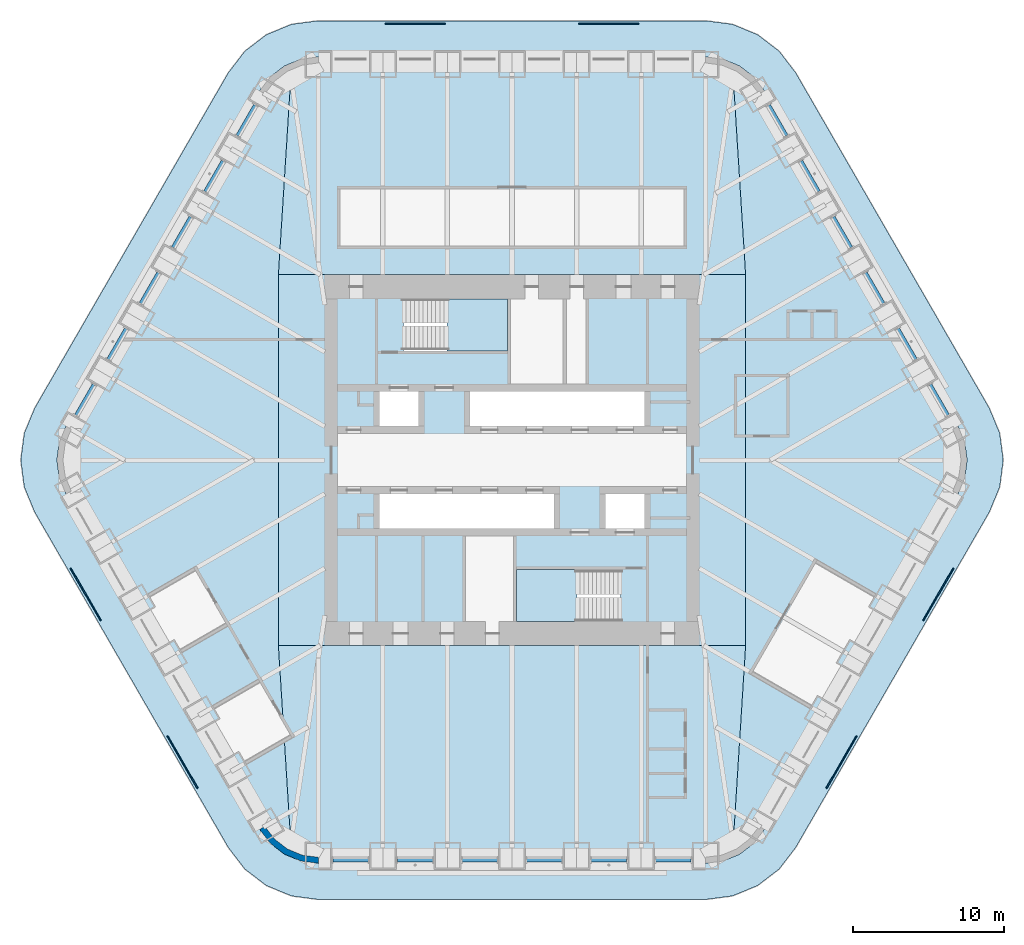
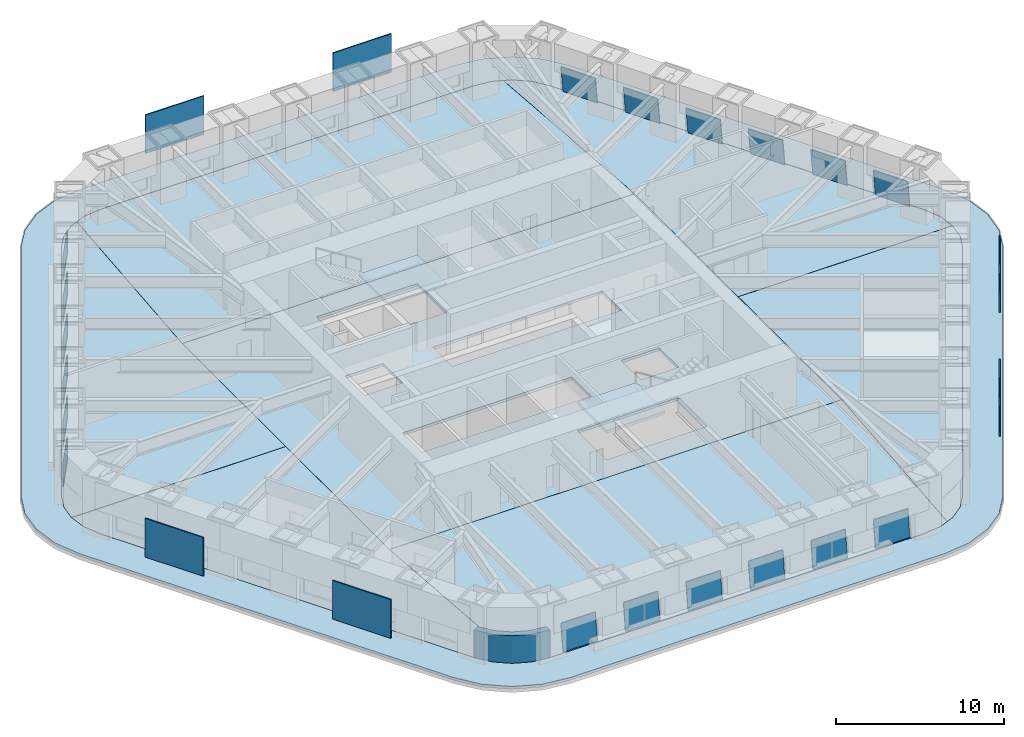
# One storey, part 12 of 18: 24 plates, 10 slabs, 1 wall, 20 elements without a shape of their own.
"""IFC4 building model written with IfcOpenShell, lengths in metres."""

import ifcopenshell
import ifcopenshell.guid

model = None  # the IFC model being written
_history = None  # IfcOwnerHistory: only IFC2X3 demands one
_inside = {}  # id of a spatial element -> (the spatial element, [elements in it])
_under = {}  # id of a project, library or spatial element -> (it, [spatial elements below it])
_declared = {}  # id of a project -> (the project, [libraries it declares])
_typed = {}  # id of a type object -> (the type object, [elements of that type])
_made_of = {}  # id of a material, layer set ... -> (it, [elements and type objects made of it])


def new_model(schema):
    """Start an empty IFC model of exactly this schema.

    Asked for "IFC4X3", IfcOpenShell would pick the latest addendum, in which some entities
    have other attributes; the version numbers below select the first issue.
    IFC2X3 requires an IfcOwnerHistory on every rooted entity: one is made here for all.
    """
    global model, _history
    if schema == "IFC4X3":
        model = ifcopenshell.file(schema_version=(4, 3, 0, 0))
    else:
        model = ifcopenshell.file(schema=schema)
    _inside.clear()
    _under.clear()
    _declared.clear()
    _typed.clear()
    _made_of.clear()
    _history = None
    if model.schema == "IFC2X3":
        org = make("IfcOrganization", Name="unknown")
        user = make(
            "IfcPersonAndOrganization",
            ThePerson=make("IfcPerson", FamilyName="unknown"),
            TheOrganization=org,
        )
        app = make(
            "IfcApplication",
            ApplicationDeveloper=org,
            Version="unknown",
            ApplicationFullName="unknown",
            ApplicationIdentifier="unknown",
        )
        _history = make(
            "IfcOwnerHistory",
            OwningUser=user,
            OwningApplication=app,
            ChangeAction="ADDED",
            CreationDate=0,
        )
    return model


def make(cls, **values):
    """One entity of the class cls with the attributes given. An attribute that is None is left unset."""
    return model.create_entity(
        cls, **{name: value for name, value in values.items() if value is not None}
    )


def rooted(cls, **values):
    """An entity with a GlobalId (a new one), such as an element, a storey or a relation."""
    return make(cls, GlobalId=ifcopenshell.guid.new(), OwnerHistory=_history, **values)


def si_unit(unit_type, name, prefix=None):
    """IfcSIUnit, for example si_unit("LENGTHUNIT", "METRE", prefix="MILLI")."""
    return make("IfcSIUnit", UnitType=unit_type, Prefix=prefix, Name=name)


def assignment(units):
    """IfcUnitAssignment: the units of a project."""
    return None if units is None else make("IfcUnitAssignment", Units=units)


def point(xyz):
    """IfcCartesianPoint."""
    return None if xyz is None else make("IfcCartesianPoint", Coordinates=xyz)


def direction(xyz):
    """IfcDirection."""
    return None if xyz is None else make("IfcDirection", DirectionRatios=xyz)


def frame(location, z_axis=None, x_axis=None):
    """IfcAxis2Placement3D, a coordinate frame: its origin and axes. An axis left out is left unset."""
    return make(
        "IfcAxis2Placement3D",
        Location=point(location),
        Axis=direction(z_axis),
        RefDirection=direction(x_axis),
    )


def frame_2d(location, x_axis=None):
    """IfcAxis2Placement2D, a coordinate frame in the plane: its origin and x axis."""
    return make(
        "IfcAxis2Placement2D", Location=point(location), RefDirection=direction(x_axis)
    )


def origin():
    """The frame at (0, 0, 0) with its axes left unset."""
    return frame((0.0, 0.0, 0.0))


def origin_2d():
    """The frame at (0, 0) in the plane with its x axis left unset."""
    return frame_2d((0.0, 0.0))


def place(relative_to, where):
    """IfcLocalPlacement: puts the frame where relative to a parent placement (None: the world)."""
    return make(
        "IfcLocalPlacement", PlacementRelTo=relative_to, RelativePlacement=where
    )


def context(
    kind, dimensions, precision=None, world=None, true_north=None, identifier=None
):
    """IfcGeometricRepresentationContext, for example the 3D "Model" context."""
    return make(
        "IfcGeometricRepresentationContext",
        ContextIdentifier=identifier,
        ContextType=kind,
        CoordinateSpaceDimension=dimensions,
        Precision=precision,
        WorldCoordinateSystem=world,
        TrueNorth=true_north,
    )


def subcontext(parent, identifier, kind, view, scale=None):
    """IfcGeometricRepresentationSubContext, for example "Body" below "Model"."""
    return make(
        "IfcGeometricRepresentationSubContext",
        ContextIdentifier=identifier,
        ContextType=kind,
        ParentContext=parent,
        TargetScale=scale,
        TargetView=view,
    )


def project(units=None, contexts=None):
    """IfcProject with its units and contexts."""
    return rooted(
        "IfcProject",
        Name="project",
        RepresentationContexts=contexts,
        UnitsInContext=assignment(units),
    )


def spatial(cls, under=None, at=None, **own):
    """A site, building, storey or space (cls), placed at a placement, below another one or the project."""
    s = rooted(cls, ObjectPlacement=at, **own)
    if under is not None:
        _under.setdefault(under.id(), (under, []))[1].append(s)
    return s


def polyline(points):
    """IfcPolyline through the points."""
    return make("IfcPolyline", Points=[point(p) for p in points])


def profile(cls, at=None, kind="AREA", **sizes):
    """A parametric profile (cls). Its sizes go by their IFC names, for example OverallWidth=200.0."""
    return make(cls, ProfileType=kind, Position=at, **sizes)


def rectangle(**sizes):
    """IfcRectangleProfileDef."""
    return profile("IfcRectangleProfileDef", **sizes)


def outline(outer, holes=None, kind="AREA"):
    """IfcArbitraryClosedProfileDef: a profile drawn as a closed curve; with holes, ...WithVoids."""
    if holes is None:
        return make("IfcArbitraryClosedProfileDef", ProfileType=kind, OuterCurve=outer)
    return make(
        "IfcArbitraryProfileDefWithVoids",
        ProfileType=kind,
        OuterCurve=outer,
        InnerCurves=holes,
    )


def extrude(swept, where, along, depth):
    """IfcExtrudedAreaSolid: the profile swept, set in the frame where, extruded along a direction by depth."""
    return make(
        "IfcExtrudedAreaSolid",
        SweptArea=swept,
        Position=where,
        ExtrudedDirection=direction(along),
        Depth=depth,
    )


def shape(context_of_items, identifier, shape_type, items):
    """IfcShapeRepresentation: the items that make up one representation, for example the "Body"."""
    return make(
        "IfcShapeRepresentation",
        ContextOfItems=context_of_items,
        RepresentationIdentifier=identifier,
        RepresentationType=shape_type,
        Items=items,
    )


def material(Name=None, Category=None):
    """IfcMaterial."""
    return make("IfcMaterial", Name=Name, Category=Category)


def layer(
    of_material, thickness, ventilated=None, Name=None, Category=None, Priority=None
):
    """IfcMaterialLayer: one layer of a wall or slab, of a material (None: an air gap)."""
    return make(
        "IfcMaterialLayer",
        Material=of_material,
        LayerThickness=thickness,
        IsVentilated=ventilated,
        Name=Name,
        Category=Category,
        Priority=Priority,
    )


def layer_set(layers, Name=None):
    """IfcMaterialLayerSet."""
    return make("IfcMaterialLayerSet", MaterialLayers=layers, LayerSetName=Name)


def made_of(thing, what):
    """Note that an element or type object is made of a material, layer set ...; save() writes the relation."""
    if what is not None:
        _made_of.setdefault(what.id(), (what, []))[1].append(thing)
    return thing


def type_object(cls, material=None, **own):
    """A type object (cls), such as IfcWallType, which elements share."""
    return made_of(rooted(cls, **own), material)


def element(
    cls,
    number,
    at=None,
    inside=None,
    cuts=None,
    type_object=None,
    material=None,
    context=None,
    identifier="Body",
    shape_type=None,
    held_by="IfcProductDefinitionShape",
    body=None,
    shapes=None,
    **own,
):
    """One element of the class cls, such as IfcWall. Its Tag is "e" and its number.

    at: its placement. inside: the storey or other place that contains it. cuts: it is an
    opening in that element (IfcRelVoidsElement). A single representation is given by context,
    identifier, shape_type and body (its items); several are given by shapes. held_by: the class
    of the entity that holds the representations. save() writes the other relations.
    """
    e = rooted(cls, Tag="e%d" % number, ObjectPlacement=at, **own)
    if body is not None:
        shapes = [shape(context, identifier, shape_type, body)]
    if shapes is not None:
        e.Representation = make(held_by, Representations=shapes)
    if inside is not None:
        _inside.setdefault(inside.id(), (inside, []))[1].append(e)
    if cuts is not None:
        rooted(
            "IfcRelVoidsElement", RelatingBuildingElement=cuts, RelatedOpeningElement=e
        )
    if type_object is not None:
        _typed.setdefault(type_object.id(), (type_object, []))[1].append(e)
    return made_of(e, material)


def aggregate(whole, parts):
    """IfcRelAggregates: a whole, such as a stair, and the parts it consists of."""
    return rooted("IfcRelAggregates", RelatingObject=whole, RelatedObjects=parts)


def save(model, path):
    """Write the relations noted so far, then the file.

    IfcRelAggregates (storeys below a building ...), IfcRelContainedInSpatialStructure (elements
    in a storey), IfcRelDefinesByType, IfcRelAssociatesMaterial and IfcRelDeclares: one each for
    every whole, place, type object, material and project.
    """
    for whole, parts in _under.values():
        aggregate(whole, parts)
    for where, things in _inside.values():
        rooted(
            "IfcRelContainedInSpatialStructure",
            RelatedElements=things,
            RelatingStructure=where,
        )
    for kind, things in _typed.values():
        rooted("IfcRelDefinesByType", RelatedObjects=things, RelatingType=kind)
    for what, things in _made_of.values():
        rooted("IfcRelAssociatesMaterial", RelatedObjects=things, RelatingMaterial=what)
    for by, libraries in _declared.values():
        rooted("IfcRelDeclares", RelatingContext=by, RelatedDefinitions=libraries)
    model.write(path)


model = new_model("IFC4")

# Units and contexts
model_context = context("Model", 3, precision=1e-05, world=origin(), true_north=direction((0.0, 1.0)))
body_context = subcontext(model_context, "Body", "Model", "MODEL_VIEW")
ifc_project = project(units=[si_unit("LENGTHUNIT", "METRE"), si_unit("AREAUNIT", "SQUARE_METRE"), si_unit("VOLUMEUNIT", "CUBIC_METRE"), si_unit("PLANEANGLEUNIT", "RADIAN"), si_unit("MASSUNIT", "GRAM", prefix="KILO")], contexts=[model_context])

# Site, building, storey
site_placement = place(None, origin())
site = spatial("IfcSite", under=ifc_project, at=site_placement, CompositionType="ELEMENT")
building_placement = place(site_placement, origin())
building = spatial("IfcBuilding", under=site, at=building_placement, Name="Tarfa Lantern Tower", CompositionType="ELEMENT")
storey_placement = place(building_placement, frame((0.0, 0.0, 311.5)))
storey = spatial("IfcBuildingStorey", under=building, at=storey_placement, Name="L70", CompositionType="ELEMENT", Elevation=311.5)

# Slab
ifc_material_1 = material(Name="Concrete C40/50", Category="concrete")
ifc_layer_1 = layer(ifc_material_1, 0.199951171875)
ifc_layer_set_1 = layer_set([ifc_layer_1], Name="BS2 BALCONY SLAB 200")
slab_type_1 = type_object("IfcSlabType", Name="BS2 BALCONY SLAB 200", PredefinedType="FLOOR", material=ifc_layer_set_1)
slab_1_placement = place(storey_placement, frame((0.0, 0.0, -0.199951171875)))
element("IfcSlab", 1, at=slab_1_placement, inside=storey, type_object=slab_type_1, Name="Planted ledge L70", PredefinedType="FLOOR", context=body_context, shape_type="SweptSolid", body=[
    extrude(outline(polyline([(31.667724609375, 3.449951171875), (18.821533203125, 25.699951171875), (17.72509765625, 27.129150390625), (16.296142578125, 28.2255859375), (14.6318359375, 28.914794921875), (12.845947265625, 29.14990234375), (-12.845947265625, 29.14990234375), (-14.6318359375, 28.914794921875), (-16.296142578125, 28.2255859375), (-17.72509765625, 27.129150390625), (-18.821533203125, 25.699951171875), (-31.667724609375, 3.449951171875), (-32.35693359375, 1.785888671875), (-32.592041015625, 0.0), (-32.35693359375, -1.785888671875), (-31.667724609375, -3.449951171875), (-18.821533203125, -25.699951171875), (-17.72509765625, -27.129150390625), (-16.296142578125, -28.2255859375), (-14.6318359375, -28.914794921875), (-12.845947265625, -29.14990234375), (12.845947265625, -29.14990234375), (14.6318359375, -28.914794921875), (16.296142578125, -28.2255859375), (17.72509765625, -27.129150390625), (18.821533203125, -25.699951171875), (31.667724609375, -3.449951171875), (32.35693359375, -1.785888671875), (32.592041015625, 0.0), (32.35693359375, 1.785888671875), (31.667724609375, 3.449951171875)]), holes=[polyline([(29.589111328125, 2.25), (16.7431640625, 24.5), (16.028076171875, 25.431884765625), (15.095947265625, 26.147216796875), (14.0107421875, 26.5966796875), (12.845947265625, 26.75), (-12.845947265625, 26.75), (-14.0107421875, 26.5966796875), (-15.095947265625, 26.147216796875), (-16.028076171875, 25.431884765625), (-16.7431640625, 24.5), (-29.589111328125, 2.25), (-30.038818359375, 1.164794921875), (-30.192138671875, 0.0), (-30.038818359375, -1.164794921875), (-29.589111328125, -2.25), (-16.7431640625, -24.5), (-16.028076171875, -25.431884765625), (-15.095947265625, -26.147216796875), (-14.0107421875, -26.5966796875), (-12.845947265625, -26.75), (12.845947265625, -26.75), (14.0107421875, -26.5966796875), (15.095947265625, -26.147216796875), (16.028076171875, -25.431884765625), (16.7431640625, -24.5), (29.589111328125, -2.25), (30.038818359375, -1.164794921875), (30.192138671875, 0.0), (30.038818359375, 1.164794921875), (29.589111328125, 2.25)])]), origin(), (0.0, 0.0, 1.0), 0.199951171875),
])

# Curtain wall, plate
ifc_material_2 = material(Name="Aluminium framed curtain wall", Category="aluminium")
curtain_wall_type = type_object("IfcCurtainWallType", Name="CW4 CANTED GLAZING EXECUTIVE ZONE 2000", PredefinedType="USERDEFINED", material=ifc_material_2)
curtain_wall_1_placement = place(storey_placement, origin())
curtain_wall_1 = element("IfcCurtainWall", 2, at=curtain_wall_1_placement, inside=storey, type_object=curtain_wall_type, Name="CW4 NE L70", ObjectType="CURTAIN WALL", PredefinedType="USERDEFINED")
ifc_material_3 = material(Name="Laminated double glazing", Category="glass")
ifc_layer_2 = layer(ifc_material_3, 0.028076171875)
ifc_layer_set_2 = layer_set([ifc_layer_2], Name="CWP1 DOUBLE GLAZED PANEL")
plate_type_1 = type_object("IfcPlateType", Name="CWP1 DOUBLE GLAZED PANEL", PredefinedType="CURTAIN_PANEL", material=ifc_layer_set_2)
plate_1_placement = place(storey_placement, frame((29.02001953125, 3.03564453125, 0.0), z_axis=(0.859333084986, 0.496153358549, 0.124010055438), x_axis=(-0.500012978079, 0.866017910757, 0.0)))
plate_1 = element("IfcPlate", 3, at=plate_1_placement, type_object=plate_type_1, Name="CW4 panel 1.1", PredefinedType="CURTAIN_PANEL", context=body_context, shape_type="SweptSolid", body=[
    extrude(outline(polyline([(0.0, 0.0), (2.351989732630695, 0.0), (2.3520708530817234, 1.9501115805173097), (8.112045102875998e-05, 1.9501115805173097), (0.0, 0.0)])), origin(), (0.0, 0.0, -1.0), 0.028076171875),
])
aggregate(curtain_wall_1, [plate_1])

curtain_wall_2_placement = place(storey_placement, origin())
curtain_wall_2 = element("IfcCurtainWall", 4, at=curtain_wall_2_placement, inside=storey, type_object=curtain_wall_type, Name="CW4 NE L70", ObjectType="CURTAIN WALL", PredefinedType="USERDEFINED")
plate_2_placement = place(storey_placement, frame((26.879150390625, 6.744140625, 0.0), z_axis=(0.859326412543, 0.496149506079, 0.124071690257), x_axis=(-0.500012978079, 0.866017910757, 0.0)))
plate_2 = element("IfcPlate", 5, at=plate_2_placement, type_object=plate_type_1, Name="CW4 panel 1.1", PredefinedType="CURTAIN_PANEL", context=body_context, shape_type="SweptSolid", body=[
    extrude(outline(polyline([(0.0, 0.0), (2.351989732630695, 0.0), (2.3518594229277303, 1.9501267226184567), (-0.0001303097029646677, 1.9501267226184567), (0.0, 0.0)])), origin(), (0.0, 0.0, -1.0), 0.028076171875),
])
aggregate(curtain_wall_2, [plate_2])

curtain_wall_3_placement = place(storey_placement, origin())
curtain_wall_3 = element("IfcCurtainWall", 6, at=curtain_wall_3_placement, inside=storey, type_object=curtain_wall_type, Name="CW4 NE L70", ObjectType="CURTAIN WALL", PredefinedType="USERDEFINED")
plate_3_placement = place(storey_placement, frame((24.738037109375, 10.452392578125, 0.0), z_axis=(0.859333084986, 0.496153358549, 0.124010055438), x_axis=(-0.500012978079, 0.866017910757, 0.0)))
plate_3 = element("IfcPlate", 7, at=plate_3_placement, type_object=plate_type_1, Name="CW4 panel 1.1", PredefinedType="CURTAIN_PANEL", context=body_context, shape_type="SweptSolid", body=[
    extrude(outline(polyline([(0.0, 0.0), (2.351989732630695, 0.0), (2.3520708530817234, 1.9501115805173097), (8.112045102875998e-05, 1.9501115805173097), (0.0, 0.0)])), origin(), (0.0, 0.0, -1.0), 0.028076171875),
])
aggregate(curtain_wall_3, [plate_3])

curtain_wall_4_placement = place(storey_placement, origin())
curtain_wall_4 = element("IfcCurtainWall", 8, at=curtain_wall_4_placement, inside=storey, type_object=curtain_wall_type, Name="CW4 NE L70", ObjectType="CURTAIN WALL", PredefinedType="USERDEFINED")
plate_4_placement = place(storey_placement, frame((22.59716796875, 14.16064453125, 0.0), z_axis=(0.859333084986, 0.496153358549, 0.124010055438), x_axis=(-0.500012978079, 0.866017910757, 0.0)))
plate_4 = element("IfcPlate", 9, at=plate_4_placement, type_object=plate_type_1, Name="CW4 panel 1.1", PredefinedType="CURTAIN_PANEL", context=body_context, shape_type="SweptSolid", body=[
    extrude(outline(polyline([(0.0, 0.0), (2.351989732630695, 0.0), (2.3520708530817234, 1.9501115805173097), (8.112045102875998e-05, 1.9501115805173097), (0.0, 0.0)])), origin(), (0.0, 0.0, -1.0), 0.028076171875),
])
aggregate(curtain_wall_4, [plate_4])

curtain_wall_5_placement = place(storey_placement, origin())
curtain_wall_5 = element("IfcCurtainWall", 10, at=curtain_wall_5_placement, inside=storey, type_object=curtain_wall_type, Name="CW4 NE L70", ObjectType="CURTAIN WALL", PredefinedType="USERDEFINED")
plate_5_placement = place(storey_placement, frame((20.4560546875, 17.869140625, 0.0), z_axis=(0.859326412543, 0.496149506079, 0.124071690257), x_axis=(-0.500012978079, 0.866017910757, 0.0)))
plate_5 = element("IfcPlate", 11, at=plate_5_placement, type_object=plate_type_1, Name="CW4 panel 1.1", PredefinedType="CURTAIN_PANEL", context=body_context, shape_type="SweptSolid", body=[
    extrude(outline(polyline([(0.0, 0.0), (2.351989732630695, 0.0), (2.3518594229277303, 1.9501267226184567), (-0.0001303097029646677, 1.9501267226184567), (0.0, 0.0)])), origin(), (0.0, 0.0, -1.0), 0.028076171875),
])
aggregate(curtain_wall_5, [plate_5])

curtain_wall_6_placement = place(storey_placement, origin())
curtain_wall_6 = element("IfcCurtainWall", 12, at=curtain_wall_6_placement, inside=storey, type_object=curtain_wall_type, Name="CW4 NE L70", ObjectType="CURTAIN WALL", PredefinedType="USERDEFINED")
plate_6_placement = place(storey_placement, frame((18.31494140625, 21.577392578125, 0.0), z_axis=(0.859361161166, 0.496118066973, 0.123956679138), x_axis=(-0.499973453423, 0.866040729897, -5.528952e-06)))
plate_6 = element("IfcPlate", 13, at=plate_6_placement, type_object=plate_type_1, Name="CW4 panel 1.1", PredefinedType="CURTAIN_PANEL", context=body_context, shape_type="SweptSolid", body=[
    extrude(outline(polyline([(0.0, 0.0), (2.35186766631385, 0.0), (2.351927050899658, 1.9501115784788285), (-6.26792455938147e-05, 1.9500853689388165), (0.0, 0.0)])), origin(), (0.0, 0.0, -1.0), 0.028076171875),
])
aggregate(curtain_wall_6, [plate_6])

curtain_wall_7_placement = place(storey_placement, origin())
curtain_wall_7 = element("IfcCurtainWall", 14, at=curtain_wall_7_placement, inside=storey, type_object=curtain_wall_type, Name="CW4 NW L70", ObjectType="CURTAIN WALL", PredefinedType="USERDEFINED")
plate_7_placement = place(storey_placement, frame((-17.13916015625, 23.6142578125, 0.0), z_axis=(-0.859361161166, 0.496118066973, 0.123956679138), x_axis=(-0.499973453423, -0.866040729897, 5.528952e-06)))
plate_7 = element("IfcPlate", 15, at=plate_7_placement, type_object=plate_type_1, Name="CW4 panel 1.1", PredefinedType="CURTAIN_PANEL", context=body_context, shape_type="SweptSolid", body=[
    extrude(outline(polyline([(0.0, 0.0), (2.35186766631385, 0.0), (2.3519303455594436, 1.9500853689388165), (-5.9384585808387977e-05, 1.9501115784788285), (0.0, 0.0)])), origin(), (0.0, 0.0, -1.0), 0.028076171875),
])
aggregate(curtain_wall_7, [plate_7])

curtain_wall_8_placement = place(storey_placement, origin())
curtain_wall_8 = element("IfcCurtainWall", 16, at=curtain_wall_8_placement, inside=storey, type_object=curtain_wall_type, Name="CW4 NW L70", ObjectType="CURTAIN WALL", PredefinedType="USERDEFINED")
plate_8_placement = place(storey_placement, frame((-19.280029296875, 19.906005859375, 0.0), z_axis=(-0.859326412543, 0.496149506079, 0.124071690257), x_axis=(-0.500012978079, -0.866017910757, 0.0)))
plate_8 = element("IfcPlate", 17, at=plate_8_placement, type_object=plate_type_1, Name="CW4 panel 1.1", PredefinedType="CURTAIN_PANEL", context=body_context, shape_type="SweptSolid", body=[
    extrude(outline(polyline([(0.0, 0.0), (2.351989732630695, 0.0), (2.3521200423336595, 1.9501267226184567), (0.0001303097029646677, 1.9501267226184567), (0.0, 0.0)])), origin(), (0.0, 0.0, -1.0), 0.028076171875),
])
aggregate(curtain_wall_8, [plate_8])

curtain_wall_9_placement = place(storey_placement, origin())
curtain_wall_9 = element("IfcCurtainWall", 18, at=curtain_wall_9_placement, inside=storey, type_object=curtain_wall_type, Name="CW4 NW L70", ObjectType="CURTAIN WALL", PredefinedType="USERDEFINED")
plate_9_placement = place(storey_placement, frame((-21.421142578125, 16.197509765625, 0.0), z_axis=(-0.859333084986, 0.496153358549, 0.124010055438), x_axis=(-0.500012978079, -0.866017910757, 0.0)))
plate_9 = element("IfcPlate", 19, at=plate_9_placement, type_object=plate_type_1, Name="CW4 panel 1.1", PredefinedType="CURTAIN_PANEL", context=body_context, shape_type="SweptSolid", body=[
    extrude(outline(polyline([(0.0, 0.0), (2.351989732630695, 0.0), (2.351908612179666, 1.9501115805173097), (-8.112045102875998e-05, 1.9501115805173097), (0.0, 0.0)])), origin(), (0.0, 0.0, -1.0), 0.028076171875),
])
aggregate(curtain_wall_9, [plate_9])

curtain_wall_10_placement = place(storey_placement, origin())
curtain_wall_10 = element("IfcCurtainWall", 20, at=curtain_wall_10_placement, inside=storey, type_object=curtain_wall_type, Name="CW4 NW L70", ObjectType="CURTAIN WALL", PredefinedType="USERDEFINED")
plate_10_placement = place(storey_placement, frame((-23.56201171875, 12.4892578125, 0.0), z_axis=(-0.859333084986, 0.496153358549, 0.124010055438), x_axis=(-0.500012978079, -0.866017910757, 0.0)))
plate_10 = element("IfcPlate", 21, at=plate_10_placement, type_object=plate_type_1, Name="CW4 panel 1.1", PredefinedType="CURTAIN_PANEL", context=body_context, shape_type="SweptSolid", body=[
    extrude(outline(polyline([(0.0, 0.0), (2.351989732630695, 0.0), (2.351908612179666, 1.9501115805173097), (-8.112045102875998e-05, 1.9501115805173097), (0.0, 0.0)])), origin(), (0.0, 0.0, -1.0), 0.028076171875),
])
aggregate(curtain_wall_10, [plate_10])

curtain_wall_11_placement = place(storey_placement, origin())
curtain_wall_11 = element("IfcCurtainWall", 22, at=curtain_wall_11_placement, inside=storey, type_object=curtain_wall_type, Name="CW4 NW L70", ObjectType="CURTAIN WALL", PredefinedType="USERDEFINED")
plate_11_placement = place(storey_placement, frame((-25.703125, 8.781005859375, 0.0), z_axis=(-0.859326412543, 0.496149506079, 0.124071690257), x_axis=(-0.500012978079, -0.866017910757, 0.0)))
plate_11 = element("IfcPlate", 23, at=plate_11_placement, type_object=plate_type_1, Name="CW4 panel 1.1", PredefinedType="CURTAIN_PANEL", context=body_context, shape_type="SweptSolid", body=[
    extrude(outline(polyline([(0.0, 0.0), (2.351989732630695, 0.0), (2.3521200423336595, 1.9501267226184567), (0.0001303097029646677, 1.9501267226184567), (0.0, 0.0)])), origin(), (0.0, 0.0, -1.0), 0.028076171875),
])
aggregate(curtain_wall_11, [plate_11])

curtain_wall_12_placement = place(storey_placement, origin())
curtain_wall_12 = element("IfcCurtainWall", 24, at=curtain_wall_12_placement, inside=storey, type_object=curtain_wall_type, Name="CW4 NW L70", ObjectType="CURTAIN WALL", PredefinedType="USERDEFINED")
plate_12_placement = place(storey_placement, frame((-27.843994140625, 5.072509765625, 0.0), z_axis=(-0.859333084986, 0.496153358549, 0.124010055438), x_axis=(-0.500012978079, -0.866017910757, 0.0)))
plate_12 = element("IfcPlate", 25, at=plate_12_placement, type_object=plate_type_1, Name="CW4 panel 1.1", PredefinedType="CURTAIN_PANEL", context=body_context, shape_type="SweptSolid", body=[
    extrude(outline(polyline([(0.0, 0.0), (2.351989732630695, 0.0), (2.351908612179666, 1.9501115805173097), (-8.112045102875998e-05, 1.9501115805173097), (0.0, 0.0)])), origin(), (0.0, 0.0, -1.0), 0.028076171875),
])
aggregate(curtain_wall_12, [plate_12])

curtain_wall_13_placement = place(storey_placement, origin())
curtain_wall_13 = element("IfcCurtainWall", 26, at=curtain_wall_13_placement, inside=storey, type_object=curtain_wall_type, Name="CW4 S L70", ObjectType="CURTAIN WALL", PredefinedType="USERDEFINED")
plate_13_placement = place(storey_placement, frame((-11.881103515625, -26.64990234375, 0.0), z_axis=(0.0, -0.992289428797, 0.123942282931), x_axis=(1.0, 0.0, 0.0)))
plate_13 = element("IfcPlate", 27, at=plate_13_placement, type_object=plate_type_1, Name="CW4 panel 1.1", PredefinedType="CURTAIN_PANEL", context=body_context, shape_type="SweptSolid", body=[
    extrude(outline(polyline([(0.0, 0.0), (2.35205078125, 0.0), (2.35205078125, 1.9500949396350138), (0.0, 1.9500949396350138), (0.0, 0.0)])), origin(), (0.0, 0.0, -1.0), 0.028076171875),
])
aggregate(curtain_wall_13, [plate_13])

curtain_wall_14_placement = place(storey_placement, origin())
curtain_wall_14 = element("IfcCurtainWall", 28, at=curtain_wall_14_placement, inside=storey, type_object=curtain_wall_type, Name="CW4 S L70", ObjectType="CURTAIN WALL", PredefinedType="USERDEFINED")
plate_14_placement = place(storey_placement, frame((-7.59912109375, -26.64990234375, 0.0), z_axis=(0.0, -0.992289428797, 0.123942282931), x_axis=(1.0, 0.0, 0.0)))
plate_14 = element("IfcPlate", 29, at=plate_14_placement, type_object=plate_type_1, Name="CW4 panel 1.1", PredefinedType="CURTAIN_PANEL", context=body_context, shape_type="SweptSolid", body=[
    extrude(outline(polyline([(0.0, 0.0), (2.35205078125, 0.0), (2.35205078125, 1.9500949396350138), (0.0, 1.9500949396350138), (0.0, 0.0)])), origin(), (0.0, 0.0, -1.0), 0.028076171875),
])
aggregate(curtain_wall_14, [plate_14])

curtain_wall_15_placement = place(storey_placement, origin())
curtain_wall_15 = element("IfcCurtainWall", 30, at=curtain_wall_15_placement, inside=storey, type_object=curtain_wall_type, Name="CW4 S L70", ObjectType="CURTAIN WALL", PredefinedType="USERDEFINED")
plate_15_placement = place(storey_placement, frame((-3.31689453125, -26.64990234375, 0.0), z_axis=(0.0, -0.992289428797, 0.123942282931), x_axis=(1.0, 0.0, 0.0)))
plate_15 = element("IfcPlate", 31, at=plate_15_placement, type_object=plate_type_1, Name="CW4 panel 1.1", PredefinedType="CURTAIN_PANEL", context=body_context, shape_type="SweptSolid", body=[
    extrude(outline(polyline([(0.0, 0.0), (2.351806640625, 0.0), (2.351806640625, 1.9500949396350138), (0.0, 1.9500949396350138), (0.0, 0.0)])), origin(), (0.0, 0.0, -1.0), 0.028076171875),
])
aggregate(curtain_wall_15, [plate_15])

curtain_wall_16_placement = place(storey_placement, origin())
curtain_wall_16 = element("IfcCurtainWall", 32, at=curtain_wall_16_placement, inside=storey, type_object=curtain_wall_type, Name="CW4 S L70", ObjectType="CURTAIN WALL", PredefinedType="USERDEFINED")
plate_16_placement = place(storey_placement, frame((0.965087890625, -26.64990234375, 0.0), z_axis=(0.0, -0.992289428797, 0.123942282931), x_axis=(1.0, 0.0, 0.0)))
plate_16 = element("IfcPlate", 33, at=plate_16_placement, type_object=plate_type_1, Name="CW4 panel 1.1", PredefinedType="CURTAIN_PANEL", context=body_context, shape_type="SweptSolid", body=[
    extrude(outline(polyline([(0.0, 0.0), (2.351806640625, 0.0), (2.351806640625, 1.9500949396350138), (0.0, 1.9500949396350138), (0.0, 0.0)])), origin(), (0.0, 0.0, -1.0), 0.028076171875),
])
aggregate(curtain_wall_16, [plate_16])

curtain_wall_17_placement = place(storey_placement, origin())
curtain_wall_17 = element("IfcCurtainWall", 34, at=curtain_wall_17_placement, inside=storey, type_object=curtain_wall_type, Name="CW4 S L70", ObjectType="CURTAIN WALL", PredefinedType="USERDEFINED")
plate_17_placement = place(storey_placement, frame((5.2470703125, -26.64990234375, 0.0), z_axis=(0.0, -0.992289428797, 0.123942282931), x_axis=(1.0, 0.0, 0.0)))
plate_17 = element("IfcPlate", 35, at=plate_17_placement, type_object=plate_type_1, Name="CW4 panel 1.1", PredefinedType="CURTAIN_PANEL", context=body_context, shape_type="SweptSolid", body=[
    extrude(outline(polyline([(0.0, 0.0), (2.35205078125, 0.0), (2.35205078125, 1.9500949396350138), (0.0, 1.9500949396350138), (0.0, 0.0)])), origin(), (0.0, 0.0, -1.0), 0.028076171875),
])
aggregate(curtain_wall_17, [plate_17])

curtain_wall_18_placement = place(storey_placement, origin())
curtain_wall_18 = element("IfcCurtainWall", 36, at=curtain_wall_18_placement, inside=storey, type_object=curtain_wall_type, Name="CW4 S L70", ObjectType="CURTAIN WALL", PredefinedType="USERDEFINED")
plate_18_placement = place(storey_placement, frame((9.529052734375, -26.64990234375, 0.0), z_axis=(0.0, -0.992289428797, 0.123942282931), x_axis=(1.0, 0.0, 0.0)))
plate_18 = element("IfcPlate", 37, at=plate_18_placement, type_object=plate_type_1, Name="CW4 panel 1.1", PredefinedType="CURTAIN_PANEL", context=body_context, shape_type="SweptSolid", body=[
    extrude(outline(polyline([(0.0, 0.0), (2.35205078125, 0.0), (2.35205078125, 1.9500949396350138), (0.0, 1.9500949396350138), (0.0, 0.0)])), origin(), (0.0, 0.0, -1.0), 0.028076171875),
])
aggregate(curtain_wall_18, [plate_18])

# Slabs
ifc_layer_3 = layer(ifc_material_1, 0.199951171875)
ifc_layer_set_3 = layer_set([ifc_layer_3], Name="FS1 FLOOR SLAB 200")
slab_type_2 = type_object("IfcSlabType", Name="FS1 FLOOR SLAB 200", PredefinedType="FLOOR", material=ifc_layer_set_3)
slab_2_placement = place(storey_placement, frame((0.0, 0.0, -0.199951171875)))
element("IfcSlab", 38, at=slab_2_placement, inside=storey, type_object=slab_type_2, Name="Floor slab L70", PredefinedType="FLOOR", context=body_context, shape_type="SweptSolid", body=[
    extrude(outline(polyline([(-15.5, -12.300048828125), (15.5, -12.300048828125), (15.5, 12.300048828125), (-15.5, 12.300048828125), (-15.5, -12.300048828125)]), holes=[polyline([(-8.800048828125, 2.25), (-6.199951171875, 2.25), (-6.199951171875, 4.550048828125), (-8.800048828125, 4.550048828125), (-8.800048828125, 2.25)]), polyline([(-2.800048828125, 2.25), (8.800048828125, 2.25), (8.800048828125, 4.550048828125), (-2.800048828125, 4.550048828125), (-2.800048828125, 2.25)]), polyline([(8.800048828125, -2.25), (6.199951171875, -2.25), (6.199951171875, -4.550048828125), (8.800048828125, -4.550048828125), (8.800048828125, -2.25)]), polyline([(2.800048828125, -2.25), (-8.800048828125, -2.25), (-8.800048828125, -4.550048828125), (2.800048828125, -4.550048828125), (2.800048828125, -2.25)]), polyline([(-7.199951171875, 7.25), (-0.300048828125, 7.25), (-0.300048828125, 10.699951171875), (-7.199951171875, 10.699951171875), (-7.199951171875, 7.25)]), polyline([(7.199951171875, -7.25), (0.300048828125, -7.25), (0.300048828125, -10.699951171875), (7.199951171875, -10.699951171875), (7.199951171875, -7.25)])]), origin(), (0.0, 0.0, 1.0), 0.199951171875),
])
slab_3_placement = place(storey_placement, frame((0.0, 0.0, -0.199951171875)))
element("IfcSlab", 39, at=slab_3_placement, inside=storey, type_object=slab_type_2, Name="Floor slab L70 NE bay", PredefinedType="FLOOR", context=body_context, shape_type="SweptSolid", body=[
    extrude(outline(polyline([(29.58740234375, 2.2490234375), (16.741455078125, 24.498779296875), (16.026611328125, 25.4306640625), (15.094970703125, 26.145263671875), (14.616943359375, 26.343505859375), (15.501953125, 12.300048828125), (15.501953125, 0.001953125), (30.189697265625, 0.001953125), (30.036865234375, 1.1640625), (29.58740234375, 2.2490234375)])), origin(), (0.0, 0.0, 1.0), 0.199951171875),
])
slab_4_placement = place(storey_placement, frame((0.0, 0.0, -0.199951171875)))
element("IfcSlab", 40, at=slab_4_placement, inside=storey, type_object=slab_type_2, Name="Floor slab L70 N bay", PredefinedType="FLOOR", context=body_context, shape_type="SweptSolid", body=[
    extrude(outline(polyline([(-15.497802734375, 12.302001953125), (15.497802734375, 12.302001953125), (14.61279296875, 26.34521484375), (14.01025390625, 26.5947265625), (12.845947265625, 26.748046875), (-12.845947265625, 26.748046875), (-14.01025390625, 26.5947265625), (-14.61279296875, 26.34521484375), (-15.497802734375, 12.302001953125)])), origin(), (0.0, 0.0, 1.0), 0.199951171875),
])
slab_5_placement = place(storey_placement, frame((0.0, 0.0, -0.199951171875)))
element("IfcSlab", 41, at=slab_5_placement, inside=storey, type_object=slab_type_2, Name="Floor slab L70 NW bay", PredefinedType="FLOOR", context=body_context, shape_type="SweptSolid", body=[
    extrude(outline(polyline([(-15.501953125, 0.001953125), (-15.501953125, 12.300048828125), (-14.616943359375, 26.343505859375), (-15.094970703125, 26.145263671875), (-16.026611328125, 25.4306640625), (-16.741455078125, 24.498779296875), (-29.58740234375, 2.2490234375), (-30.036865234375, 1.1640625), (-30.189697265625, 0.001953125), (-15.501953125, 0.001953125)])), origin(), (0.0, 0.0, 1.0), 0.199951171875),
])
slab_6_placement = place(storey_placement, frame((0.0, 0.0, -0.199951171875)))
element("IfcSlab", 42, at=slab_6_placement, inside=storey, type_object=slab_type_2, Name="Floor slab L70 SW bay", PredefinedType="FLOOR", context=body_context, shape_type="SweptSolid", body=[
    extrude(outline(polyline([(-15.501953125, -12.300048828125), (-15.501953125, -0.001953125), (-30.189697265625, -0.001953125), (-30.036865234375, -1.1640625), (-29.58740234375, -2.2490234375), (-16.741455078125, -24.498779296875), (-16.026611328125, -25.4306640625), (-15.094970703125, -26.145263671875), (-14.616943359375, -26.343505859375), (-15.501953125, -12.300048828125)])), origin(), (0.0, 0.0, 1.0), 0.199951171875),
])
slab_7_placement = place(storey_placement, frame((0.0, 0.0, -0.199951171875)))
element("IfcSlab", 43, at=slab_7_placement, inside=storey, type_object=slab_type_2, Name="Floor slab L70 S bay", PredefinedType="FLOOR", context=body_context, shape_type="SweptSolid", body=[
    extrude(outline(polyline([(15.497802734375, -12.302001953125), (-15.497802734375, -12.302001953125), (-14.61279296875, -26.34521484375), (-14.01025390625, -26.5947265625), (-12.845947265625, -26.748046875), (12.845947265625, -26.748046875), (14.01025390625, -26.5947265625), (14.61279296875, -26.34521484375), (15.497802734375, -12.302001953125)])), origin(), (0.0, 0.0, 1.0), 0.199951171875),
])
slab_8_placement = place(storey_placement, frame((0.0, 0.0, -0.199951171875)))
element("IfcSlab", 44, at=slab_8_placement, inside=storey, type_object=slab_type_2, Name="Floor slab L70 SE bay", PredefinedType="FLOOR", context=body_context, shape_type="SweptSolid", body=[
    extrude(outline(polyline([(15.501953125, -0.001953125), (15.501953125, -12.300048828125), (14.616943359375, -26.343505859375), (15.094970703125, -26.145263671875), (16.026611328125, -25.4306640625), (16.741455078125, -24.498779296875), (29.58740234375, -2.2490234375), (30.036865234375, -1.1640625), (30.189697265625, -0.001953125), (15.501953125, -0.001953125)])), origin(), (0.0, 0.0, 1.0), 0.199951171875),
])

# Plates
ifc_material_4 = material(Name="Perforated limestone screen", Category="masonry")
ifc_layer_4 = layer(ifc_material_4, 0.080078125)
ifc_layer_set_4 = layer_set([ifc_layer_4], Name="SC1 STONE SCREEN 80")
plate_type_2 = type_object("IfcPlateType", Name="SC1 STONE SCREEN 80", PredefinedType="USERDEFINED", material=ifc_layer_set_4)
for number, where, z_axis, x_axis, name in (
    (45, (6.423095703125, 28.949951171875, 1.2001953125), (0.0, 0.0, 1.0), (-1.0, 0.0, 0.0), "Stone screen N 1"),
    (46, (-6.423095703125, 28.949951171875, 1.2001953125), (0.0, 0.0, 1.0), (-1.0, 0.0, 0.0), "Stone screen N 2"),
    (47, (-28.282958984375, -8.91259765625, 1.2001953125), (0.0, 0.0, 1.0), (0.5, -0.866025403784, 0.0), "Stone screen SW 1"),
    (48, (-21.85986328125, -20.03759765625, 1.2001953125), (0.0, 0.0, 1.0), (0.5, -0.866025403784, 0.0), "Stone screen SW 2"),
    (49, (21.85986328125, -20.03759765625, 1.2001953125), (0.0, 0.0, 1.0), (0.5, 0.866025403784, 0.0), "Stone screen SE 1"),
    (50, (28.282958984375, -8.91259765625, 1.2001953125), (0.0, 0.0, 1.0), (0.5, 0.866025403784, 0.0), "Stone screen SE 2"),
):
    element("IfcPlate", number, at=place(storey_placement, frame(where, z_axis=z_axis, x_axis=x_axis)), inside=storey, type_object=plate_type_2, Name=name, ObjectType="SCREEN", PredefinedType="USERDEFINED", context=body_context, shape_type="SweptSolid", body=[
        extrude(rectangle(XDim=4.0, YDim=0.080078125, at=origin_2d()), origin(), (0.0, 0.0, 1.0), 2.800048828125),
    ])

# Stair, slab
stair_type = type_object("IfcStairType", Name="ST-T10 HALF-TURN STAIR 4200 RISE", PredefinedType="HALF_TURN_STAIR", material=ifc_material_1)
stair_1_placement = place(storey_placement, origin())
stair_1 = element("IfcStair", 51, at=stair_1_placement, inside=storey, type_object=stair_type, Name="Stair ST1", PredefinedType="HALF_TURN_STAIR")
ifc_layer_5 = layer(ifc_material_1, 0.199951171875)
ifc_layer_set_5 = layer_set([ifc_layer_5], Name="SL1 STAIR LANDING 200")
slab_type_3 = type_object("IfcSlabType", Name="SL1 STAIR LANDING 200", PredefinedType="LANDING", material=ifc_layer_set_5)
slab_9_placement = place(storey_placement, frame((0.0, 0.0, 1.89990234375)))
slab_9 = element("IfcSlab", 52, at=slab_9_placement, type_object=slab_type_3, Name="ST1 landing 1", PredefinedType="LANDING", context=body_context, shape_type="SweptSolid", body=[
    extrude(outline(polyline([(-4.320068359375, 7.25), (-0.300048828125, 7.25), (-0.300048828125, 10.699951171875), (-4.320068359375, 10.699951171875), (-4.320068359375, 7.25)])), origin(), (0.0, 0.0, 1.0), 0.2001953125),
])
aggregate(stair_1, [slab_9])

stair_2_placement = place(storey_placement, origin())
stair_2 = element("IfcStair", 53, at=stair_2_placement, inside=storey, type_object=stair_type, Name="Stair ST2", PredefinedType="HALF_TURN_STAIR")
slab_10_placement = place(storey_placement, frame((0.0, 0.0, 1.89990234375)))
slab_10 = element("IfcSlab", 54, at=slab_10_placement, type_object=slab_type_3, Name="ST2 landing 1", PredefinedType="LANDING", context=body_context, shape_type="SweptSolid", body=[
    extrude(outline(polyline([(4.320068359375, -7.25), (0.300048828125, -7.25), (0.300048828125, -10.699951171875), (4.320068359375, -10.699951171875), (4.320068359375, -7.25)])), origin(), (0.0, 0.0, 1.0), 0.2001953125),
])
aggregate(stair_2, [slab_10])

# Wall
ifc_material_5 = material(Name="Limestone cladding on blockwork", Category="masonry")
ifc_layer_6 = layer(ifc_material_5, 0.39990234375)
ifc_layer_set_6 = layer_set([ifc_layer_6], Name="EW2 CURVED STONE CORNER 400")
wall_type = type_object("IfcWallType", Name="EW2 CURVED STONE CORNER 400", PredefinedType="SOLIDWALL", material=ifc_layer_set_6)
wall_placement = place(storey_placement, origin())
element("IfcWall", 55, at=wall_placement, inside=storey, type_object=wall_type, Name="Stone corner SW-S", PredefinedType="SOLIDWALL", context=body_context, shape_type="SweptSolid", body=[
    extrude(outline(polyline([(-16.7431640625, -24.5), (-16.028076171875, -25.431884765625), (-15.095947265625, -26.147216796875), (-14.0107421875, -26.5966796875), (-12.845947265625, -26.75), (-12.845947265625, -26.35009765625), (-13.9072265625, -26.210205078125), (-14.89599609375, -25.80078125), (-15.7451171875, -25.149169921875), (-16.396728515625, -24.300048828125), (-16.7431640625, -24.5)])), origin(), (0.0, 0.0, 1.0), 2.0),
])

save(model, "model.ifc")
